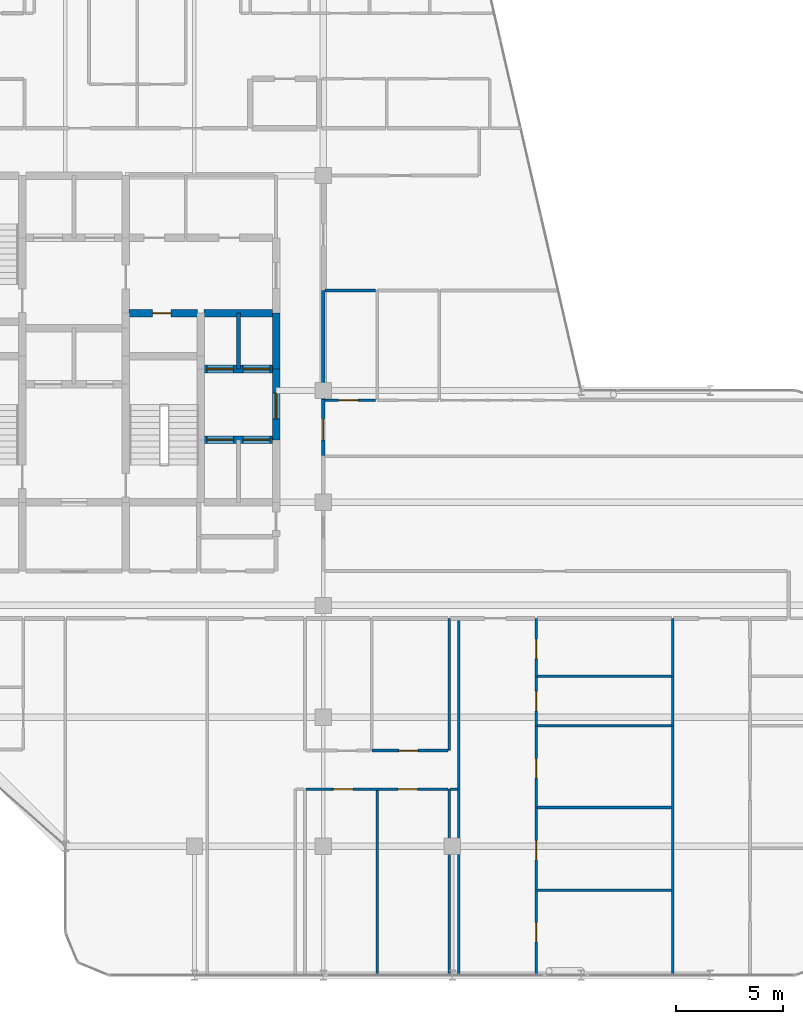
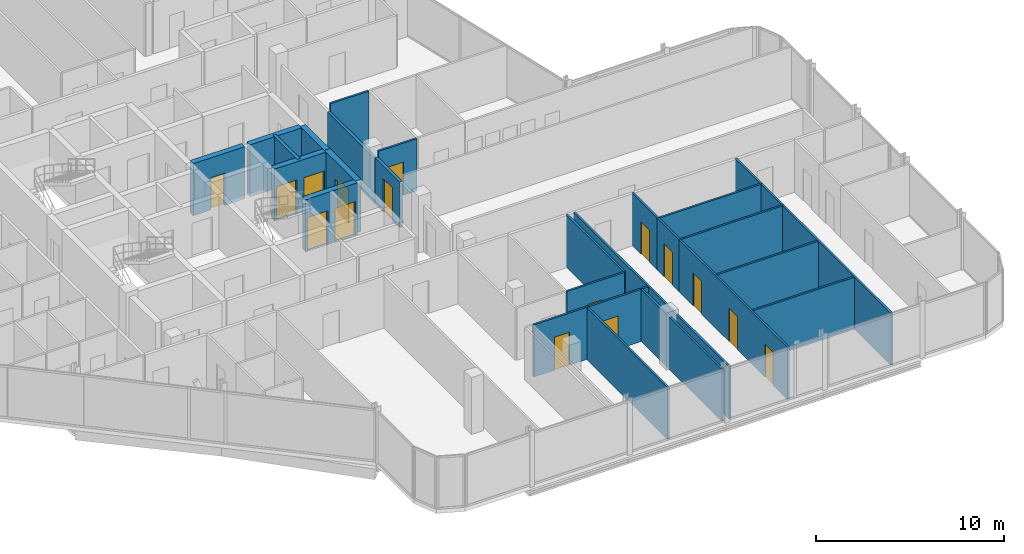
# One storey, part 25 of 29: 28 walls, 16 doors, 16 openings.
"""IFC4 building model written with IfcOpenShell, lengths in metres."""

from ifc_helpers import new_model, si_unit, direction, frame, frame_2d, origin, place, context, subcontext, project, spatial, rectangle, extrude, material, layer, layer_set, type_object, element, fill, save


model = new_model("IFC4")

# Units and contexts
model_context = context("Model", 3, precision=1e-05, world=origin(), true_north=direction((0.0, 1.0)))
body_context = subcontext(model_context, "Body", "Model", "MODEL_VIEW")
ifc_project = project(units=[si_unit("LENGTHUNIT", "METRE"), si_unit("AREAUNIT", "SQUARE_METRE"), si_unit("VOLUMEUNIT", "CUBIC_METRE"), si_unit("PLANEANGLEUNIT", "RADIAN"), si_unit("MASSUNIT", "GRAM", prefix="KILO")], contexts=[model_context])

# Site, building, storey
site_placement = place(None, origin())
site = spatial("IfcSite", under=ifc_project, at=site_placement, CompositionType="ELEMENT")
building_placement = place(site_placement, origin())
building = spatial("IfcBuilding", under=site, at=building_placement, Name="Keshet Zoharim Tower", CompositionType="ELEMENT")
storey_placement = place(building_placement, frame((0.0, 0.0, 206.89990234375)))
storey = spatial("IfcBuildingStorey", under=building, at=storey_placement, Name="L51", CompositionType="ELEMENT", Elevation=206.89990234375)

# Wall, opening, door
ifc_material_1 = material(Name="Concrete C60/75", Category="concrete")
ifc_layer_1 = layer(ifc_material_1, 0.35009765625)
ifc_layer_set_1 = layer_set([ifc_layer_1], Name="Concrete C60/75")
wall_type_1 = type_object("IfcWallType", Name="WL-CORE-350", PredefinedType="SHEAR", material=ifc_layer_set_1)
wall_1_placement = place(storey_placement, frame((30.800048828125, 25.60009765625, 0.0), z_axis=(0.0, 0.0, 1.0), x_axis=(0.0, 1.0, 0.0)))
wall_1 = element("IfcWall", 1, at=wall_1_placement, inside=storey, type_object=wall_type_1, Name="L51 Core Shear Wall 063", PredefinedType="SHEAR", context=body_context, shape_type="SweptSolid", body=[
    extrude(rectangle(XDim=3.2998046875, YDim=0.35009765625, at=frame_2d((1.64990234375, 0.0))), origin(), (0.0, 0.0, 1.0), 3.39013671875),
])
opening_1_placement = place(wall_1_placement, frame((0.97802734375, 0.0, 0.0)))
opening_1 = element("IfcOpeningElement", 2, at=opening_1_placement, cuts=wall_1, Name="Opening D-F612", PredefinedType="OPENING", context=body_context, shape_type="SweptSolid", body=[
    extrude(rectangle(XDim=1.199951171875, YDim=2.199951171875, at=frame_2d((0.60009765625, 1.10009765625))), frame((0.0, 0.18505859375, 0.0), z_axis=(0.0, -1.0, 0.0), x_axis=(1.0, 0.0, 0.0)), (0.0, 0.0, 1.0), 0.3701171875),
])
ifc_material_2 = material(Name="Hardwood Timber", Category="wood")
door_type_1 = type_object("IfcDoorType", Name="DR-FD60-120", OperationType="NOTDEFINED", PredefinedType="DOOR", material=ifc_material_2)
door_1_placement = place(opening_1_placement, origin())
door_1 = element("IfcDoor", 3, at=door_1_placement, inside=storey, type_object=door_type_1, Name="L51 East Lift Lobby Fire Door", OperationType="SINGLE_SWING_RIGHT", OverallHeight=2.199951171875, OverallWidth=1.199951171875, PredefinedType="DOOR", context=body_context, shape_type="SweptSolid", body=[
    extrude(rectangle(XDim=1.199951171875, YDim=2.199951171875, at=frame_2d((0.60009765625, 1.10009765625))), frame((0.0, 0.02490234375, 0.0), z_axis=(0.0, -1.0, 0.0), x_axis=(1.0, 0.0, 0.0)), (0.0, 0.0, 1.0), 0.050048828125),
])
fill(opening_1, door_1)

# Wall
wall_2_placement = place(storey_placement, frame((30.800048828125, 28.89990234375, 0.0), z_axis=(0.0, 0.0, 1.0), x_axis=(0.0, 1.0, 0.0)))
element("IfcWall", 4, at=wall_2_placement, inside=storey, type_object=wall_type_1, Name="L51 Core Shear Wall 064", PredefinedType="SHEAR", context=body_context, shape_type="SweptSolid", body=[
    extrude(rectangle(XDim=2.60009765625, YDim=0.35009765625, at=frame_2d((1.300048828125, 0.0))), origin(), (0.0, 0.0, 1.0), 3.39013671875),
])

# Wall, openings, doors
wall_3_placement = place(storey_placement, frame((27.4599609375, 25.60009765625, 0.0), z_axis=(0.0, 0.0, 1.0), x_axis=(1.0, 0.0, 0.0)))
wall_3 = element("IfcWall", 5, at=wall_3_placement, inside=storey, type_object=wall_type_1, Name="L51 Core Shear Wall 142", PredefinedType="SHEAR", context=body_context, shape_type="SweptSolid", body=[
    extrude(rectangle(XDim=3.179931640625, YDim=0.35009765625, at=frame_2d((1.58984375, 0.0))), origin(), (0.0, 0.0, 1.0), 3.39013671875),
])
opening_2_placement = place(wall_3_placement, frame((0.1201171875, 0.0, 0.0)))
opening_2 = element("IfcOpeningElement", 6, at=opening_2_placement, cuts=wall_3, Name="Opening LD-01", PredefinedType="OPENING", context=body_context, shape_type="SweptSolid", body=[
    extrude(rectangle(XDim=1.25, YDim=2.199951171875, at=frame_2d((0.625, 1.10009765625))), frame((0.0, 0.18505859375, 0.0), z_axis=(0.0, -1.0, 0.0), x_axis=(1.0, 0.0, 0.0)), (0.0, 0.0, 1.0), 0.3701171875),
])
opening_3_placement = place(wall_3_placement, frame((1.81005859375, 0.0, 0.0)))
opening_3 = element("IfcOpeningElement", 7, at=opening_3_placement, cuts=wall_3, Name="Opening LD-01", PredefinedType="OPENING", context=body_context, shape_type="SweptSolid", body=[
    extrude(rectangle(XDim=1.25, YDim=2.199951171875, at=frame_2d((0.625, 1.10009765625))), frame((0.0, 0.18505859375, 0.0), z_axis=(0.0, -1.0, 0.0), x_axis=(1.0, 0.0, 0.0)), (0.0, 0.0, 1.0), 0.3701171875),
])
ifc_material_3 = material(Name="Steel S355", Category="steel")
door_type_2 = type_object("IfcDoorType", Name="DR-LD01-125", OperationType="DOUBLE_DOOR_SLIDING", PredefinedType="DOOR", material=ifc_material_3)
door_2_placement = place(opening_2_placement, origin())
door_2 = element("IfcDoor", 8, at=door_2_placement, inside=storey, type_object=door_type_2, Name="L51 Passenger Lift Landing Door LF-07", OperationType="DOUBLE_DOOR_SLIDING", OverallHeight=2.199951171875, OverallWidth=1.25, PredefinedType="DOOR", context=body_context, shape_type="SweptSolid", body=[
    extrude(rectangle(XDim=1.25, YDim=2.199951171875, at=frame_2d((0.625, 1.10009765625))), frame((0.0, 0.02490234375, 0.0), z_axis=(0.0, -1.0, 0.0), x_axis=(1.0, 0.0, 0.0)), (0.0, 0.0, 1.0), 0.050048828125),
])
fill(opening_2, door_2)
door_3_placement = place(opening_3_placement, origin())
door_3 = element("IfcDoor", 9, at=door_3_placement, inside=storey, type_object=door_type_2, Name="L51 Passenger Lift Landing Door LF-08", OperationType="DOUBLE_DOOR_SLIDING", OverallHeight=2.199951171875, OverallWidth=1.25, PredefinedType="DOOR", context=body_context, shape_type="SweptSolid", body=[
    extrude(rectangle(XDim=1.25, YDim=2.199951171875, at=frame_2d((0.625, 1.10009765625))), frame((0.0, 0.02490234375, 0.0), z_axis=(0.0, -1.0, 0.0), x_axis=(1.0, 0.0, 0.0)), (0.0, 0.0, 1.0), 0.050048828125),
])
fill(opening_3, door_3)

wall_4_placement = place(storey_placement, frame((27.4599609375, 28.89990234375, 0.0), z_axis=(0.0, 0.0, 1.0), x_axis=(1.0, 0.0, 0.0)))
wall_4 = element("IfcWall", 10, at=wall_4_placement, inside=storey, type_object=wall_type_1, Name="L51 Core Shear Wall 150", PredefinedType="SHEAR", context=body_context, shape_type="SweptSolid", body=[
    extrude(rectangle(XDim=3.179931640625, YDim=0.35009765625, at=frame_2d((1.58984375, 0.0))), origin(), (0.0, 0.0, 1.0), 3.39013671875),
])
opening_4_placement = place(wall_4_placement, frame((0.1201171875, 0.0, 0.0)))
opening_4 = element("IfcOpeningElement", 11, at=opening_4_placement, cuts=wall_4, Name="Opening LD-01", PredefinedType="OPENING", context=body_context, shape_type="SweptSolid", body=[
    extrude(rectangle(XDim=1.25, YDim=2.199951171875, at=frame_2d((0.625, 1.10009765625))), frame((0.0, 0.18505859375, 0.0), z_axis=(0.0, -1.0, 0.0), x_axis=(1.0, 0.0, 0.0)), (0.0, 0.0, 1.0), 0.3701171875),
])
opening_5_placement = place(wall_4_placement, frame((1.81005859375, 0.0, 0.0)))
opening_5 = element("IfcOpeningElement", 12, at=opening_5_placement, cuts=wall_4, Name="Opening LD-01", PredefinedType="OPENING", context=body_context, shape_type="SweptSolid", body=[
    extrude(rectangle(XDim=1.25, YDim=2.199951171875, at=frame_2d((0.625, 1.10009765625))), frame((0.0, 0.18505859375, 0.0), z_axis=(0.0, -1.0, 0.0), x_axis=(1.0, 0.0, 0.0)), (0.0, 0.0, 1.0), 0.3701171875),
])
door_4_placement = place(opening_4_placement, origin())
door_4 = element("IfcDoor", 13, at=door_4_placement, inside=storey, type_object=door_type_2, Name="L51 Passenger Lift Landing Door LF-05", OperationType="DOUBLE_DOOR_SLIDING", OverallHeight=2.199951171875, OverallWidth=1.25, PredefinedType="DOOR", context=body_context, shape_type="SweptSolid", body=[
    extrude(rectangle(XDim=1.25, YDim=2.199951171875, at=frame_2d((0.625, 1.10009765625))), frame((0.0, 0.02490234375, 0.0), z_axis=(0.0, -1.0, 0.0), x_axis=(1.0, 0.0, 0.0)), (0.0, 0.0, 1.0), 0.050048828125),
])
fill(opening_4, door_4)
door_5_placement = place(opening_5_placement, origin())
door_5 = element("IfcDoor", 14, at=door_5_placement, inside=storey, type_object=door_type_2, Name="L51 Passenger Lift Landing Door LF-06", OperationType="DOUBLE_DOOR_SLIDING", OverallHeight=2.199951171875, OverallWidth=1.25, PredefinedType="DOOR", context=body_context, shape_type="SweptSolid", body=[
    extrude(rectangle(XDim=1.25, YDim=2.199951171875, at=frame_2d((0.625, 1.10009765625))), frame((0.0, 0.02490234375, 0.0), z_axis=(0.0, -1.0, 0.0), x_axis=(1.0, 0.0, 0.0)), (0.0, 0.0, 1.0), 0.050048828125),
])
fill(opening_5, door_5)

# Wall, opening, door
wall_5_placement = place(storey_placement, frame((23.9599609375, 31.5, 0.0), z_axis=(0.0, 0.0, 1.0), x_axis=(1.0, 0.0, 0.0)))
wall_5 = element("IfcWall", 15, at=wall_5_placement, inside=storey, type_object=wall_type_1, Name="L51 Core Shear Wall 158", PredefinedType="SHEAR", context=body_context, shape_type="SweptSolid", body=[
    extrude(rectangle(XDim=3.179931640625, YDim=0.35009765625, at=frame_2d((1.58984375, 0.0))), origin(), (0.0, 0.0, 1.0), 3.39013671875),
])
opening_6_placement = place(wall_5_placement, frame((1.093994140625, 0.0, 0.0)))
opening_6 = element("IfcOpeningElement", 16, at=opening_6_placement, cuts=wall_5, Name="Opening D-RS85", PredefinedType="OPENING", context=body_context, shape_type="SweptSolid", body=[
    extrude(rectangle(XDim=0.85009765625, YDim=2.10009765625, at=frame_2d((0.425048828125, 1.050048828125))), frame((0.0, 0.18505859375, 0.0), z_axis=(0.0, -1.0, 0.0), x_axis=(1.0, 0.0, 0.0)), (0.0, 0.0, 1.0), 0.3701171875),
])
door_type_3 = type_object("IfcDoorType", Name="DR-RIS-085", OperationType="NOTDEFINED", PredefinedType="DOOR", material=ifc_material_2)
door_6_placement = place(opening_6_placement, origin())
door_6 = element("IfcDoor", 17, at=door_6_placement, inside=storey, type_object=door_type_3, Name="L51 Telecom Riser Access Cupboard Door", OperationType="SINGLE_SWING_RIGHT", OverallHeight=2.10009765625, OverallWidth=0.85009765625, PredefinedType="DOOR", context=body_context, shape_type="SweptSolid", body=[
    extrude(rectangle(XDim=0.85009765625, YDim=2.10009765625, at=frame_2d((0.425048828125, 1.050048828125))), frame((0.0, 0.02490234375, 0.0), z_axis=(0.0, -1.0, 0.0), x_axis=(1.0, 0.0, 0.0)), (0.0, 0.0, 1.0), 0.050048828125),
])
fill(opening_6, door_6)

# Wall
wall_6_placement = place(storey_placement, frame((27.4599609375, 31.5, 0.0), z_axis=(0.0, 0.0, 1.0), x_axis=(1.0, 0.0, 0.0)))
element("IfcWall", 18, at=wall_6_placement, inside=storey, type_object=wall_type_1, Name="L51 Core Shear Wall 159", PredefinedType="SHEAR", context=body_context, shape_type="SweptSolid", body=[
    extrude(rectangle(XDim=3.179931640625, YDim=0.35009765625, at=frame_2d((1.58984375, 0.0))), origin(), (0.0, 0.0, 1.0), 3.39013671875),
])

# Wall, opening, door
ifc_material_4 = material(Name="Gypsum Plasterboard", Category="gypsum")
ifc_layer_2 = layer(ifc_material_4, 0.179931640625)
ifc_layer_set_2 = layer_set([ifc_layer_2], Name="Gypsum Plasterboard")
wall_type_2 = type_object("IfcWallType", Name="WL-CORR-180", PredefinedType="STANDARD", material=ifc_layer_set_2)
wall_7_placement = place(storey_placement, frame((33.0, 24.8701171875, 0.0), z_axis=(0.0, 0.0, 1.0), x_axis=(0.0, 1.0, 0.0)))
wall_7 = element("IfcWall", 19, at=wall_7_placement, inside=storey, type_object=wall_type_2, Name="L51 Interior Wall 073", PredefinedType="STANDARD", context=body_context, shape_type="SweptSolid", body=[
    extrude(rectangle(XDim=2.599853515625, YDim=0.179931640625, at=frame_2d((1.2998046875, 0.0))), origin(), (0.0, 0.0, 1.0), 2.989990234375),
])
opening_7_placement = place(wall_7_placement, frame((0.722900390625, 0.0, 0.0)))
opening_7 = element("IfcOpeningElement", 20, at=opening_7_placement, cuts=wall_7, Name="Opening D-F310", PredefinedType="OPENING", context=body_context, shape_type="SweptSolid", body=[
    extrude(rectangle(XDim=1.0, YDim=2.14990234375, at=frame_2d((0.5, 1.074951171875))), frame((0.0, 0.10009765625, 0.0), z_axis=(0.0, -1.0, 0.0), x_axis=(1.0, 0.0, 0.0)), (0.0, 0.0, 1.0), 0.199951171875),
])
door_type_4 = type_object("IfcDoorType", Name="DR-FD30-100", OperationType="NOTDEFINED", PredefinedType="DOOR", material=ifc_material_2)
door_7_placement = place(opening_7_placement, origin())
door_7 = element("IfcDoor", 21, at=door_7_placement, inside=storey, type_object=door_type_4, Name="Apartment 5110 Entrance Door", OperationType="SINGLE_SWING_LEFT", OverallHeight=2.14990234375, OverallWidth=1.0, PredefinedType="DOOR", context=body_context, shape_type="SweptSolid", body=[
    extrude(rectangle(XDim=1.0, YDim=2.14990234375, at=frame_2d((0.5, 1.074951171875))), frame((0.0, 0.02490234375, 0.0), z_axis=(0.0, -1.0, 0.0), x_axis=(1.0, 0.0, 0.0)), (0.0, 0.0, 1.0), 0.050048828125),
])
fill(opening_7, door_7)

# Walls
wall_8_placement = place(storey_placement, frame((33.0, 27.469970703125, 0.0), z_axis=(0.0, 0.0, 1.0), x_axis=(0.0, 1.0, 0.0)))
element("IfcWall", 22, at=wall_8_placement, inside=storey, type_object=wall_type_2, Name="L51 Interior Wall 074", PredefinedType="STANDARD", context=body_context, shape_type="SweptSolid", body=[
    extrude(rectangle(XDim=5.070068359375, YDim=0.179931640625, at=frame_2d((2.53515625, 0.0))), origin(), (0.0, 0.0, 1.0), 2.89013671875),
])
ifc_material_5 = material(Name="Concrete C50/60", Category="concrete")
ifc_layer_3 = layer(ifc_material_5, 0.199951171875)
ifc_layer_set_3 = layer_set([ifc_layer_3], Name="Concrete C50/60")
wall_type_3 = type_object("IfcWallType", Name="WL-FIRE-200", PredefinedType="STANDARD", material=ifc_layer_set_3)
wall_9_placement = place(storey_placement, frame((29.050048828125, 28.89990234375, 0.0), z_axis=(0.0, 0.0, 1.0), x_axis=(0.0, 1.0, 0.0)))
element("IfcWall", 23, at=wall_9_placement, inside=storey, type_object=wall_type_3, Name="L51 Interior Wall 056", PredefinedType="STANDARD", context=body_context, shape_type="SweptSolid", body=[
    extrude(rectangle(XDim=2.60009765625, YDim=0.199951171875, at=frame_2d((1.300048828125, 0.0))), origin(), (0.0, 0.0, 1.0), 3.39013671875),
])
ifc_layer_4 = layer(ifc_material_4, 0.1201171875)
ifc_layer_set_4 = layer_set([ifc_layer_4], Name="Gypsum Plasterboard")
wall_type_4 = type_object("IfcWallType", Name="WL-PART-120", PredefinedType="PARTITIONING", material=ifc_layer_set_4)
for number, where, z_axis, x_axis, name in (
    (24, (35.5, 0.7099609375, 0.0), (0.0, 0.0, 1.0), (0.0, 1.0, 0.0), "L51 Interior Wall 078"),
    (25, (38.85009765625, 0.7099609375, 0.0), (0.0, 0.0, 1.0), (0.0, 1.0, 0.0), "L51 Interior Wall 083"),
):
    element("IfcWall", number, at=place(storey_placement, frame(where, z_axis=z_axis, x_axis=x_axis)), inside=storey, type_object=wall_type_4, Name=name, PredefinedType="PARTITIONING", context=body_context, shape_type="SweptSolid", body=[
        extrude(rectangle(XDim=8.64013671875, YDim=0.1201171875, at=frame_2d((4.320068359375, 0.0))), origin(), (0.0, 0.0, 1.0), 3.39013671875),
    ])
wall_10_placement = place(storey_placement, frame((39.300048828125, 0.7099609375, 0.0), z_axis=(0.0, 0.0, 1.0), x_axis=(0.0, 1.0, 0.0)))
element("IfcWall", 26, at=wall_10_placement, inside=storey, type_object=wall_type_4, Name="L51 Interior Wall 085", PredefinedType="PARTITIONING", context=body_context, shape_type="SweptSolid", body=[
    extrude(rectangle(XDim=16.590087890625, YDim=0.1201171875, at=frame_2d((8.294921875, 0.0))), origin(), (0.0, 0.0, 1.0), 3.39013671875),
])

# Wall, openings, doors
wall_11_placement = place(storey_placement, frame((42.89990234375, 0.7099609375, 0.0), z_axis=(0.0, 0.0, 1.0), x_axis=(0.0, 1.0, 0.0)))
wall_11 = element("IfcWall", 27, at=wall_11_placement, inside=storey, type_object=wall_type_4, Name="L51 Interior Wall 088", PredefinedType="PARTITIONING", context=body_context, shape_type="SweptSolid", body=[
    extrude(rectangle(XDim=11.590087890625, YDim=0.1201171875, at=frame_2d((5.794921875, 0.0))), origin(), (0.0, 0.0, 1.0), 3.39013671875),
])
opening_8_placement = place(wall_11_placement, frame((1.534912109375, 0.0, 0.0)))
opening_8 = element("IfcOpeningElement", 28, at=opening_8_placement, cuts=wall_11, Name="Opening D-IN90", PredefinedType="OPENING", context=body_context, shape_type="SweptSolid", body=[
    extrude(rectangle(XDim=0.89990234375, YDim=2.14990234375, at=frame_2d((0.449951171875, 1.074951171875))), frame((0.0, 0.070068359375, 0.0), z_axis=(0.0, -1.0, 0.0), x_axis=(1.0, 0.0, 0.0)), (0.0, 0.0, 1.0), 0.14013671875),
])
opening_9_placement = place(wall_11_placement, frame((5.34912109375, 0.0, 0.0)))
opening_9 = element("IfcOpeningElement", 29, at=opening_9_placement, cuts=wall_11, Name="Opening D-IN90", PredefinedType="OPENING", context=body_context, shape_type="SweptSolid", body=[
    extrude(rectangle(XDim=0.89990234375, YDim=2.14990234375, at=frame_2d((0.449951171875, 1.074951171875))), frame((0.0, 0.070068359375, 0.0), z_axis=(0.0, -1.0, 0.0), x_axis=(1.0, 0.0, 0.0)), (0.0, 0.0, 1.0), 0.14013671875),
])
opening_10_placement = place(wall_11_placement, frame((9.158935546875, 0.0, 0.0)))
opening_10 = element("IfcOpeningElement", 30, at=opening_10_placement, cuts=wall_11, Name="Opening D-IN90", PredefinedType="OPENING", context=body_context, shape_type="SweptSolid", body=[
    extrude(rectangle(XDim=0.89990234375, YDim=2.14990234375, at=frame_2d((0.449951171875, 1.074951171875))), frame((0.0, 0.070068359375, 0.0), z_axis=(0.0, -1.0, 0.0), x_axis=(1.0, 0.0, 0.0)), (0.0, 0.0, 1.0), 0.14013671875),
])
door_type_5 = type_object("IfcDoorType", Name="DR-INT-090", OperationType="NOTDEFINED", PredefinedType="DOOR", material=ifc_material_2)
door_8_placement = place(opening_8_placement, origin())
door_8 = element("IfcDoor", 31, at=door_8_placement, inside=storey, type_object=door_type_5, Name="Apartment 5103 Bedroom 1 Door", OperationType="SINGLE_SWING_LEFT", OverallHeight=2.14990234375, OverallWidth=0.89990234375, PredefinedType="DOOR", context=body_context, shape_type="SweptSolid", body=[
    extrude(rectangle(XDim=0.89990234375, YDim=2.14990234375, at=frame_2d((0.449951171875, 1.074951171875))), frame((0.0, 0.02490234375, 0.0), z_axis=(0.0, -1.0, 0.0), x_axis=(1.0, 0.0, 0.0)), (0.0, 0.0, 1.0), 0.050048828125),
])
fill(opening_8, door_8)
door_9_placement = place(opening_9_placement, origin())
door_9 = element("IfcDoor", 32, at=door_9_placement, inside=storey, type_object=door_type_5, Name="Apartment 5103 Bedroom 2 Door", OperationType="SINGLE_SWING_RIGHT", OverallHeight=2.14990234375, OverallWidth=0.89990234375, PredefinedType="DOOR", context=body_context, shape_type="SweptSolid", body=[
    extrude(rectangle(XDim=0.89990234375, YDim=2.14990234375, at=frame_2d((0.449951171875, 1.074951171875))), frame((0.0, 0.02490234375, 0.0), z_axis=(0.0, -1.0, 0.0), x_axis=(1.0, 0.0, 0.0)), (0.0, 0.0, 1.0), 0.050048828125),
])
fill(opening_9, door_9)
door_10_placement = place(opening_10_placement, origin())
door_10 = element("IfcDoor", 33, at=door_10_placement, inside=storey, type_object=door_type_5, Name="Apartment 5103 Bedroom 3 Door", OperationType="SINGLE_SWING_LEFT", OverallHeight=2.14990234375, OverallWidth=0.89990234375, PredefinedType="DOOR", context=body_context, shape_type="SweptSolid", body=[
    extrude(rectangle(XDim=0.89990234375, YDim=2.14990234375, at=frame_2d((0.449951171875, 1.074951171875))), frame((0.0, 0.02490234375, 0.0), z_axis=(0.0, -1.0, 0.0), x_axis=(1.0, 0.0, 0.0)), (0.0, 0.0, 1.0), 0.050048828125),
])
fill(opening_10, door_10)

# Wall, opening, door
wall_12_placement = place(storey_placement, frame((42.89990234375, 12.300048828125, 0.0), z_axis=(0.0, 0.0, 1.0), x_axis=(0.0, 1.0, 0.0)))
wall_12 = element("IfcWall", 34, at=wall_12_placement, inside=storey, type_object=wall_type_4, Name="L51 Interior Wall 089", PredefinedType="PARTITIONING", context=body_context, shape_type="SweptSolid", body=[
    extrude(rectangle(XDim=2.300048828125, YDim=0.1201171875, at=frame_2d((1.14990234375, 0.0))), origin(), (0.0, 0.0, 1.0), 3.39013671875),
])
opening_11_placement = place(wall_12_placement, frame((0.699951171875, 0.0, 0.0)))
opening_11 = element("IfcOpeningElement", 35, at=opening_11_placement, cuts=wall_12, Name="Opening D-IN90", PredefinedType="OPENING", context=body_context, shape_type="SweptSolid", body=[
    extrude(rectangle(XDim=0.89990234375, YDim=2.14990234375, at=frame_2d((0.449951171875, 1.074951171875))), frame((0.0, 0.070068359375, 0.0), z_axis=(0.0, -1.0, 0.0), x_axis=(1.0, 0.0, 0.0)), (0.0, 0.0, 1.0), 0.14013671875),
])
door_11_placement = place(opening_11_placement, origin())
door_11 = element("IfcDoor", 36, at=door_11_placement, inside=storey, type_object=door_type_5, Name="Apartment 5103 Kitchen Door", OperationType="SINGLE_SWING_RIGHT", OverallHeight=2.14990234375, OverallWidth=0.89990234375, PredefinedType="DOOR", context=body_context, shape_type="SweptSolid", body=[
    extrude(rectangle(XDim=0.89990234375, YDim=2.14990234375, at=frame_2d((0.449951171875, 1.074951171875))), frame((0.0, 0.02490234375, 0.0), z_axis=(0.0, -1.0, 0.0), x_axis=(1.0, 0.0, 0.0)), (0.0, 0.0, 1.0), 0.050048828125),
])
fill(opening_11, door_11)

# Walls
wall_13_placement = place(storey_placement, frame((49.25, 0.7099609375, 0.0), z_axis=(0.0, 0.0, 1.0), x_axis=(0.0, 1.0, 0.0)))
element("IfcWall", 37, at=wall_13_placement, inside=storey, type_object=wall_type_4, Name="L51 Interior Wall 091", PredefinedType="PARTITIONING", context=body_context, shape_type="SweptSolid", body=[
    extrude(rectangle(XDim=11.590087890625, YDim=0.1201171875, at=frame_2d((5.794921875, 0.0))), origin(), (0.0, 0.0, 1.0), 3.39013671875),
])
wall_14_placement = place(storey_placement, frame((49.25, 12.300048828125, 0.0), z_axis=(0.0, 0.0, 1.0), x_axis=(0.0, 1.0, 0.0)))
element("IfcWall", 38, at=wall_14_placement, inside=storey, type_object=wall_type_4, Name="L51 Interior Wall 092", PredefinedType="PARTITIONING", context=body_context, shape_type="SweptSolid", body=[
    extrude(rectangle(XDim=2.300048828125, YDim=0.1201171875, at=frame_2d((1.14990234375, 0.0))), origin(), (0.0, 0.0, 1.0), 3.39013671875),
])
for number, where, z_axis, x_axis, name in (
    (39, (42.945068359375, 4.64990234375, 0.0), (0.0, 0.0, 1.0), (1.0, 0.0, 0.0), "L51 Interior Wall 098"),
    (40, (42.945068359375, 8.5, 0.0), (0.0, 0.0, 1.0), (1.0, 0.0, 0.0), "L51 Interior Wall 100"),
):
    element("IfcWall", number, at=place(storey_placement, frame(where, z_axis=z_axis, x_axis=x_axis)), inside=storey, type_object=wall_type_4, Name=name, PredefinedType="PARTITIONING", context=body_context, shape_type="SweptSolid", body=[
        extrude(rectangle(XDim=6.25, YDim=0.1201171875, at=frame_2d((3.125, 0.0))), origin(), (0.0, 0.0, 1.0), 3.39013671875),
    ])

# Wall, openings, doors
wall_15_placement = place(storey_placement, frame((32.18505859375, 9.35009765625, 0.0), z_axis=(0.0, 0.0, 1.0), x_axis=(1.0, 0.0, 0.0)))
wall_15 = element("IfcWall", 41, at=wall_15_placement, inside=storey, type_object=wall_type_4, Name="L51 Interior Wall 102", PredefinedType="PARTITIONING", context=body_context, shape_type="SweptSolid", body=[
    extrude(rectangle(XDim=6.619873046875, YDim=0.1201171875, at=frame_2d((3.31005859375, 0.0))), origin(), (0.0, 0.0, 1.0), 3.39013671875),
])
opening_12_placement = place(wall_15_placement, frame((1.284912109375, 0.0, 0.0)))
opening_12 = element("IfcOpeningElement", 42, at=opening_12_placement, cuts=wall_15, Name="Opening D-IN90", PredefinedType="OPENING", context=body_context, shape_type="SweptSolid", body=[
    extrude(rectangle(XDim=0.89990234375, YDim=2.14990234375, at=frame_2d((0.449951171875, 1.074951171875))), frame((0.0, 0.070068359375, 0.0), z_axis=(0.0, -1.0, 0.0), x_axis=(1.0, 0.0, 0.0)), (0.0, 0.0, 1.0), 0.14013671875),
])
opening_13_placement = place(wall_15_placement, frame((4.2900390625, 0.0, 0.0)))
opening_13 = element("IfcOpeningElement", 43, at=opening_13_placement, cuts=wall_15, Name="Opening D-IN90", PredefinedType="OPENING", context=body_context, shape_type="SweptSolid", body=[
    extrude(rectangle(XDim=0.89990234375, YDim=2.14990234375, at=frame_2d((0.449951171875, 1.074951171875))), frame((0.0, 0.070068359375, 0.0), z_axis=(0.0, -1.0, 0.0), x_axis=(1.0, 0.0, 0.0)), (0.0, 0.0, 1.0), 0.14013671875),
])
door_12_placement = place(opening_12_placement, origin())
door_12 = element("IfcDoor", 44, at=door_12_placement, inside=storey, type_object=door_type_5, Name="Apartment 5102 Bedroom 1 Door", OperationType="SINGLE_SWING_RIGHT", OverallHeight=2.14990234375, OverallWidth=0.89990234375, PredefinedType="DOOR", context=body_context, shape_type="SweptSolid", body=[
    extrude(rectangle(XDim=0.89990234375, YDim=2.14990234375, at=frame_2d((0.449951171875, 1.074951171875))), frame((0.0, 0.02490234375, 0.0), z_axis=(0.0, -1.0, 0.0), x_axis=(1.0, 0.0, 0.0)), (0.0, 0.0, 1.0), 0.050048828125),
])
fill(opening_12, door_12)
door_13_placement = place(opening_13_placement, origin())
door_13 = element("IfcDoor", 45, at=door_13_placement, inside=storey, type_object=door_type_5, Name="Apartment 5102 Bedroom 2 Door", OperationType="SINGLE_SWING_LEFT", OverallHeight=2.14990234375, OverallWidth=0.89990234375, PredefinedType="DOOR", context=body_context, shape_type="SweptSolid", body=[
    extrude(rectangle(XDim=0.89990234375, YDim=2.14990234375, at=frame_2d((0.449951171875, 1.074951171875))), frame((0.0, 0.02490234375, 0.0), z_axis=(0.0, -1.0, 0.0), x_axis=(1.0, 0.0, 0.0)), (0.0, 0.0, 1.0), 0.050048828125),
])
fill(opening_13, door_13)

# Walls
wall_16_placement = place(storey_placement, frame((38.89501953125, 9.35009765625, 0.0), z_axis=(0.0, 0.0, 1.0), x_axis=(1.0, 0.0, 0.0)))
element("IfcWall", 46, at=wall_16_placement, inside=storey, type_object=wall_type_4, Name="L51 Interior Wall 103", PredefinedType="PARTITIONING", context=body_context, shape_type="SweptSolid", body=[
    extrude(rectangle(XDim=0.35986328125, YDim=0.1201171875, at=frame_2d((0.179931640625, 0.0))), origin(), (0.0, 0.0, 1.0), 3.39013671875),
])
wall_17_placement = place(storey_placement, frame((42.945068359375, 12.300048828125, 0.0), z_axis=(0.0, 0.0, 1.0), x_axis=(1.0, 0.0, 0.0)))
element("IfcWall", 47, at=wall_17_placement, inside=storey, type_object=wall_type_4, Name="L51 Interior Wall 107", PredefinedType="PARTITIONING", context=body_context, shape_type="SweptSolid", body=[
    extrude(rectangle(XDim=6.25, YDim=0.1201171875, at=frame_2d((3.125, 0.0))), origin(), (0.0, 0.0, 1.0), 3.39013671875),
])

# Wall, opening, door
wall_18_placement = place(storey_placement, frame((33.074951171875, 27.449951171875, 0.0), z_axis=(0.0, 0.0, 1.0), x_axis=(1.0, 0.0, 0.0)))
wall_18 = element("IfcWall", 48, at=wall_18_placement, inside=storey, type_object=wall_type_4, Name="L51 Interior Wall 146", PredefinedType="PARTITIONING", context=body_context, shape_type="SweptSolid", body=[
    extrude(rectangle(XDim=2.364013671875, YDim=0.1201171875, at=frame_2d((1.18212890625, 0.0))), origin(), (0.0, 0.0, 1.0), 3.39013671875),
])
opening_14_placement = place(wall_18_placement, frame((0.64111328125, 0.0, 0.0)))
opening_14 = element("IfcOpeningElement", 49, at=opening_14_placement, cuts=wall_18, Name="Opening D-IN90", PredefinedType="OPENING", context=body_context, shape_type="SweptSolid", body=[
    extrude(rectangle(XDim=0.89990234375, YDim=2.14990234375, at=frame_2d((0.449951171875, 1.074951171875))), frame((0.0, 0.070068359375, 0.0), z_axis=(0.0, -1.0, 0.0), x_axis=(1.0, 0.0, 0.0)), (0.0, 0.0, 1.0), 0.14013671875),
])
door_14_placement = place(opening_14_placement, origin())
door_14 = element("IfcDoor", 50, at=door_14_placement, inside=storey, type_object=door_type_5, Name="Apartment 5110 Kitchen Door", OperationType="SINGLE_SWING_LEFT", OverallHeight=2.14990234375, OverallWidth=0.89990234375, PredefinedType="DOOR", context=body_context, shape_type="SweptSolid", body=[
    extrude(rectangle(XDim=0.89990234375, YDim=2.14990234375, at=frame_2d((0.449951171875, 1.074951171875))), frame((0.0, 0.02490234375, 0.0), z_axis=(0.0, -1.0, 0.0), x_axis=(1.0, 0.0, 0.0)), (0.0, 0.0, 1.0), 0.050048828125),
])
fill(opening_14, door_14)

# Walls
wall_19_placement = place(storey_placement, frame((33.074951171875, 32.550048828125, 0.0), z_axis=(0.0, 0.0, 1.0), x_axis=(1.0, 0.0, 0.0)))
element("IfcWall", 51, at=wall_19_placement, inside=storey, type_object=wall_type_4, Name="L51 Interior Wall 162", PredefinedType="PARTITIONING", context=body_context, shape_type="SweptSolid", body=[
    extrude(rectangle(XDim=2.364013671875, YDim=0.1201171875, at=frame_2d((1.18212890625, 0.0))), origin(), (0.0, 0.0, 1.0), 3.39013671875),
])
ifc_layer_5 = layer(ifc_material_4, 0.1201171875)
ifc_layer_set_5 = layer_set([ifc_layer_5], Name="Gypsum Plasterboard")
wall_type_5 = type_object("IfcWallType", Name="WL-WET-120", PredefinedType="PARTITIONING", material=ifc_layer_set_5)
wall_20_placement = place(storey_placement, frame((38.85009765625, 11.14990234375, 0.0), z_axis=(0.0, 0.0, 1.0), x_axis=(0.0, 1.0, 0.0)))
element("IfcWall", 52, at=wall_20_placement, inside=storey, type_object=wall_type_5, Name="L51 Interior Wall 084", PredefinedType="PARTITIONING", context=body_context, shape_type="SweptSolid", body=[
    extrude(rectangle(XDim=6.150146484375, YDim=0.1201171875, at=frame_2d((3.0751953125, 0.0))), origin(), (0.0, 0.0, 1.0), 3.39013671875),
])

# Wall, opening, door
wall_21_placement = place(storey_placement, frame((42.89990234375, 14.60009765625, 0.0), z_axis=(0.0, 0.0, 1.0), x_axis=(0.0, 1.0, 0.0)))
wall_21 = element("IfcWall", 53, at=wall_21_placement, inside=storey, type_object=wall_type_5, Name="L51 Interior Wall 090", PredefinedType="PARTITIONING", context=body_context, shape_type="SweptSolid", body=[
    extrude(rectangle(XDim=2.699951171875, YDim=0.1201171875, at=frame_2d((1.35009765625, 0.0))), origin(), (0.0, 0.0, 1.0), 3.39013671875),
])
opening_15_placement = place(wall_21_placement, frame((0.827880859375, 0.0, 0.0)))
opening_15 = element("IfcOpeningElement", 54, at=opening_15_placement, cuts=wall_21, Name="Opening D-WT90", PredefinedType="OPENING", context=body_context, shape_type="SweptSolid", body=[
    extrude(rectangle(XDim=0.89990234375, YDim=2.10009765625, at=frame_2d((0.449951171875, 1.050048828125))), frame((0.0, 0.070068359375, 0.0), z_axis=(0.0, -1.0, 0.0), x_axis=(1.0, 0.0, 0.0)), (0.0, 0.0, 1.0), 0.14013671875),
])
door_type_6 = type_object("IfcDoorType", Name="DR-WET-090", OperationType="NOTDEFINED", PredefinedType="DOOR", material=ifc_material_2)
door_15_placement = place(opening_15_placement, origin())
door_15 = element("IfcDoor", 55, at=door_15_placement, inside=storey, type_object=door_type_6, Name="Apartment 5103 Bathroom Door", OperationType="SINGLE_SWING_LEFT", OverallHeight=2.10009765625, OverallWidth=0.89990234375, PredefinedType="DOOR", context=body_context, shape_type="SweptSolid", body=[
    extrude(rectangle(XDim=0.89990234375, YDim=2.10009765625, at=frame_2d((0.449951171875, 1.050048828125))), frame((0.0, 0.02490234375, 0.0), z_axis=(0.0, -1.0, 0.0), x_axis=(1.0, 0.0, 0.0)), (0.0, 0.0, 1.0), 0.050048828125),
])
fill(opening_15, door_15)

# Wall
wall_22_placement = place(storey_placement, frame((49.25, 14.60009765625, 0.0), z_axis=(0.0, 0.0, 1.0), x_axis=(0.0, 1.0, 0.0)))
element("IfcWall", 56, at=wall_22_placement, inside=storey, type_object=wall_type_5, Name="L51 Interior Wall 093", PredefinedType="PARTITIONING", context=body_context, shape_type="SweptSolid", body=[
    extrude(rectangle(XDim=2.699951171875, YDim=0.1201171875, at=frame_2d((1.35009765625, 0.0))), origin(), (0.0, 0.0, 1.0), 3.39013671875),
])

# Wall, opening, door
wall_23_placement = place(storey_placement, frame((35.27197265625, 11.14990234375, 0.0), z_axis=(0.0, 0.0, 1.0), x_axis=(1.0, 0.0, 0.0)))
wall_23 = element("IfcWall", 57, at=wall_23_placement, inside=storey, type_object=wall_type_5, Name="L51 Interior Wall 105", PredefinedType="PARTITIONING", context=body_context, shape_type="SweptSolid", body=[
    extrude(rectangle(XDim=3.532958984375, YDim=0.1201171875, at=frame_2d((1.7666015625, 0.0))), origin(), (0.0, 0.0, 1.0), 3.39013671875),
])
opening_16_placement = place(wall_23_placement, frame((1.242919921875, 0.0, 0.0)))
opening_16 = element("IfcOpeningElement", 58, at=opening_16_placement, cuts=wall_23, Name="Opening D-WT90", PredefinedType="OPENING", context=body_context, shape_type="SweptSolid", body=[
    extrude(rectangle(XDim=0.89990234375, YDim=2.10009765625, at=frame_2d((0.449951171875, 1.050048828125))), frame((0.0, 0.070068359375, 0.0), z_axis=(0.0, -1.0, 0.0), x_axis=(1.0, 0.0, 0.0)), (0.0, 0.0, 1.0), 0.14013671875),
])
door_16_placement = place(opening_16_placement, origin())
door_16 = element("IfcDoor", 59, at=door_16_placement, inside=storey, type_object=door_type_6, Name="Apartment 5102 Bathroom Door", OperationType="SINGLE_SWING_LEFT", OverallHeight=2.10009765625, OverallWidth=0.89990234375, PredefinedType="DOOR", context=body_context, shape_type="SweptSolid", body=[
    extrude(rectangle(XDim=0.89990234375, YDim=2.10009765625, at=frame_2d((0.449951171875, 1.050048828125))), frame((0.0, 0.02490234375, 0.0), z_axis=(0.0, -1.0, 0.0), x_axis=(1.0, 0.0, 0.0)), (0.0, 0.0, 1.0), 0.050048828125),
])
fill(opening_16, door_16)

# Wall
wall_24_placement = place(storey_placement, frame((42.945068359375, 14.60009765625, 0.0), z_axis=(0.0, 0.0, 1.0), x_axis=(1.0, 0.0, 0.0)))
element("IfcWall", 60, at=wall_24_placement, inside=storey, type_object=wall_type_5, Name="L51 Interior Wall 110", PredefinedType="PARTITIONING", context=body_context, shape_type="SweptSolid", body=[
    extrude(rectangle(XDim=6.25, YDim=0.1201171875, at=frame_2d((3.125, 0.0))), origin(), (0.0, 0.0, 1.0), 3.39013671875),
])

save(model, "model.ifc")
